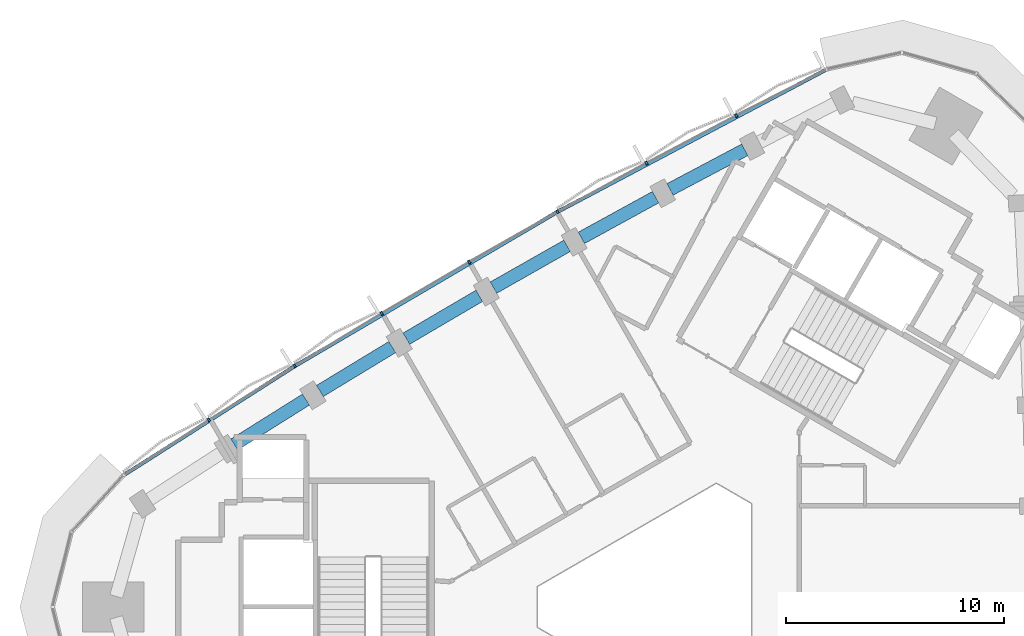
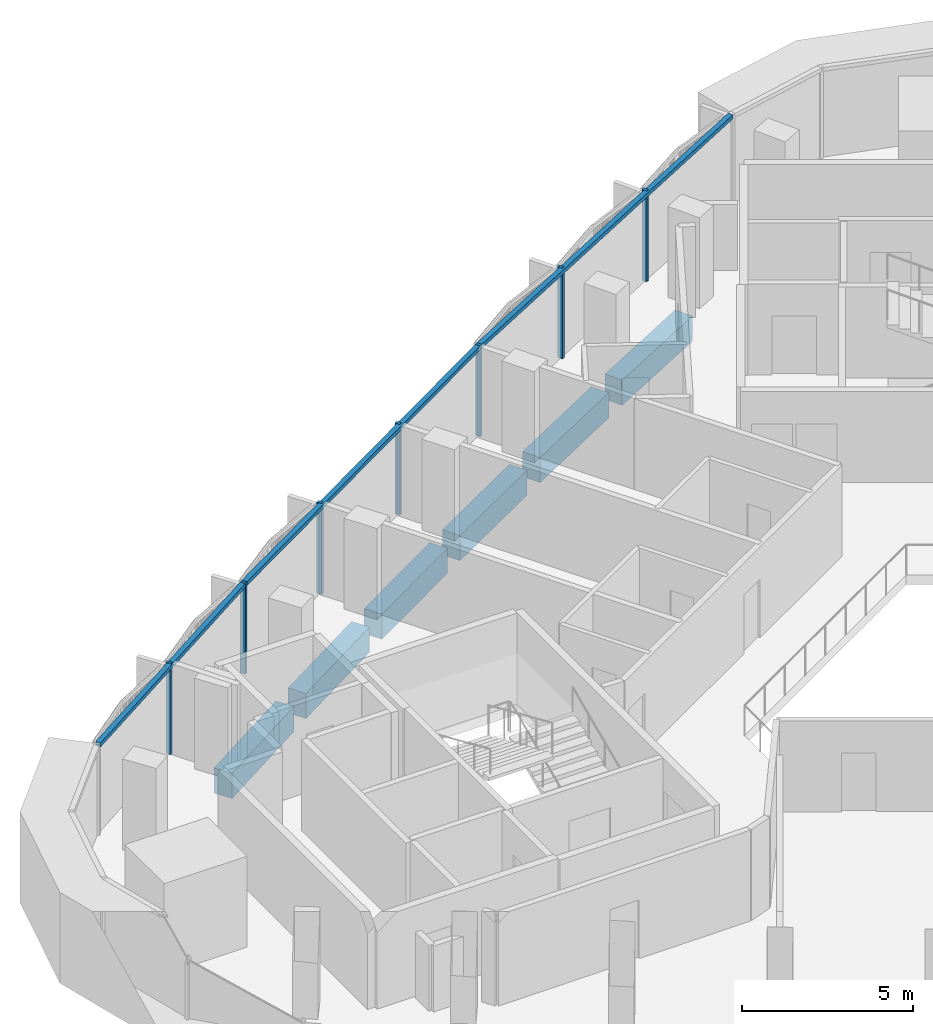
# One storey, part 5 of 14: 10 members, 6 beams, 1 element without a shape of its own.
"""IFC4 building model written with IfcOpenShell, lengths in metres."""

from ifc_helpers import new_model, si_unit, direction, frame, origin, origin_2d, place, context, subcontext, project, spatial, rectangle, extrude, material, material_profile, profile_set, type_object, element, aggregate, save


model = new_model("IFC4")

# Units and contexts
model_context = context("Model", 3, precision=1e-05, world=origin(), true_north=direction((0.0, 1.0)))
body_context = subcontext(model_context, "Body", "Model", "MODEL_VIEW")
ifc_project = project(units=[si_unit("LENGTHUNIT", "METRE"), si_unit("AREAUNIT", "SQUARE_METRE"), si_unit("VOLUMEUNIT", "CUBIC_METRE"), si_unit("PLANEANGLEUNIT", "RADIAN"), si_unit("MASSUNIT", "GRAM", prefix="KILO")], contexts=[model_context])

# Site, building, storey
site_placement = place(None, origin())
site = spatial("IfcSite", under=ifc_project, at=site_placement, CompositionType="ELEMENT")
building_placement = place(site_placement, origin())
building = spatial("IfcBuilding", under=site, at=building_placement, Name="Tamra Quay Hotel Tower", CompositionType="ELEMENT")
storey_placement = place(building_placement, frame((0.0, 0.0, 228.60009765625)))
storey = spatial("IfcBuildingStorey", under=building, at=storey_placement, Name="L57", CompositionType="ELEMENT", Elevation=228.60009765625)

# Curtain wall, members
ifc_material_1 = material(Name="Aluminium 6063 anodised dark grey", Category="aluminium")
curtain_wall_type = type_object("IfcCurtainWallType", Name="CW2 CURTAIN WALL", PredefinedType="NOTDEFINED", material=ifc_material_1)
curtain_wall_placement = place(storey_placement, origin())
curtain_wall = element("IfcCurtainWall", 1, at=curtain_wall_placement, inside=storey, type_object=curtain_wall_type, Name="CW2 north-west face L57", PredefinedType="NOTDEFINED")
ifc_material_profile_1 = material_profile(ifc_material_1, rectangle(XDim=0.169921875, YDim=0.10009765625, at=origin_2d()), Name="MULLION 100X170")
ifc_profile_set_1 = profile_set([ifc_material_profile_1], Name="Aluminium 6063 anodised dark grey")
member_type_1 = type_object("IfcMemberType", Name="MULLION CW2 Z5", PredefinedType="MULLION", material=ifc_profile_set_1)
member_1_placement = place(storey_placement, frame((3.105224609375, 22.503173828125, 0.0), z_axis=(0.0, 0.0, 1.0), x_axis=(-0.461343866689, 0.887221413554, 0.0)))
member_1 = element("IfcMember", 2, at=member_1_placement, type_object=member_type_1, Name="CW2 mullion L57.NW.2", PredefinedType="MULLION", context=body_context, shape_type="SweptSolid", body=[
    extrude(rectangle(XDim=0.169921875, YDim=0.10009765625, at=origin_2d()), origin(), (0.0, 0.0, 1.0), 3.25),
])
member_2_placement = place(storey_placement, frame((-1.00341796875, 20.328369140625, 0.0), z_axis=(0.0, 0.0, 1.0), x_axis=(-0.474318697742, 0.880353209213, 0.0)))
member_2 = element("IfcMember", 3, at=member_2_placement, type_object=member_type_1, Name="CW2 mullion L57.NW.3", PredefinedType="MULLION", context=body_context, shape_type="SweptSolid", body=[
    extrude(rectangle(XDim=0.169921875, YDim=0.10009765625, at=origin_2d()), origin(), (0.0, 0.0, 1.0), 3.25),
])
member_3_placement = place(storey_placement, frame((-5.078857421875, 18.093994140625, 0.0), z_axis=(0.0, 0.0, 1.0), x_axis=(-0.487204268935, 0.873288039728, 0.0)))
member_3 = element("IfcMember", 4, at=member_3_placement, type_object=member_type_1, Name="CW2 mullion L57.NW.4", PredefinedType="MULLION", context=body_context, shape_type="SweptSolid", body=[
    extrude(rectangle(XDim=0.169921875, YDim=0.10009765625, at=origin_2d()), origin(), (0.0, 0.0, 1.0), 3.25),
])
member_4_placement = place(storey_placement, frame((-9.12158203125, 15.79931640625, 0.0), z_axis=(0.0, 0.0, 1.0), x_axis=(-0.5, 0.866025403784, 0.0)))
member_4 = element("IfcMember", 5, at=member_4_placement, type_object=member_type_1, Name="CW2 mullion L57.NW.5", PredefinedType="MULLION", context=body_context, shape_type="SweptSolid", body=[
    extrude(rectangle(XDim=0.169921875, YDim=0.10009765625, at=origin_2d()), origin(), (0.0, 0.0, 1.0), 3.25),
])
member_5_placement = place(storey_placement, frame((-13.13037109375, 13.4453125, 0.0), z_axis=(0.0, 0.0, 1.0), x_axis=(-0.512687492758, 0.858575293594, 0.0)))
member_5 = element("IfcMember", 6, at=member_5_placement, type_object=member_type_1, Name="CW2 mullion L57.NW.6", PredefinedType="MULLION", context=body_context, shape_type="SweptSolid", body=[
    extrude(rectangle(XDim=0.169921875, YDim=0.10009765625, at=origin_2d()), origin(), (0.0, 0.0, 1.0), 3.25),
])
member_6_placement = place(storey_placement, frame((-17.103271484375, 11.033203125, 0.0), z_axis=(0.0, 0.0, 1.0), x_axis=(-0.525248894611, 0.850948646341, 0.0)))
member_6 = element("IfcMember", 7, at=member_6_placement, type_object=member_type_1, Name="CW2 mullion L57.NW.7", PredefinedType="MULLION", context=body_context, shape_type="SweptSolid", body=[
    extrude(rectangle(XDim=0.169921875, YDim=0.10009765625, at=origin_2d()), origin(), (0.0, 0.0, 1.0), 3.25),
])
member_7_placement = place(storey_placement, frame((-21.041015625, 8.5625, 0.0), z_axis=(0.0, 0.0, 1.0), x_axis=(-0.537684349575, 0.84314621521, 0.0)))
member_7 = element("IfcMember", 8, at=member_7_placement, type_object=member_type_1, Name="CW2 mullion L57.NW.8", PredefinedType="MULLION", context=body_context, shape_type="SweptSolid", body=[
    extrude(rectangle(XDim=0.169921875, YDim=0.10009765625, at=origin_2d()), origin(), (0.0, 0.0, 1.0), 3.25),
])

# Beams
ifc_material_2 = material(Name="Concrete M60", Category="concrete")
ifc_material_profile_2 = material_profile(ifc_material_2, rectangle(XDim=0.60009765625, YDim=0.89990234375, at=origin_2d()), Name="SPANDREL BEAM RC 600x900")
ifc_profile_set_2 = profile_set([ifc_material_profile_2], Name="Concrete M60")
beam_type = type_object("IfcBeamType", Name="SPANDREL BEAM RC 600x900", PredefinedType="SPANDREL", material=ifc_profile_set_2)
beam_1_placement = place(storey_placement, frame((3.5, 20.931396484375, -0.800048828125), z_axis=(-0.883803240878, -0.467858772937, 0.0), x_axis=(0.467858772937, -0.883803240878, 0.0)))
element("IfcBeam", 9, at=beam_1_placement, inside=storey, type_object=beam_type, Name="BM-SP5-011-L57", PredefinedType="SPANDREL", context=body_context, shape_type="SweptSolid", body=[
    extrude(rectangle(XDim=0.60009765625, YDim=0.89990234375, at=origin_2d()), origin(), (0.0, 0.0, 1.0), 3.875),
])
beam_2_placement = place(storey_placement, frame((-0.585205078125, 18.7626953125, -0.800048828125), z_axis=(-0.876838966376, -0.480784179279, 0.0), x_axis=(0.480784179279, -0.876838966376, 0.0)))
element("IfcBeam", 10, at=beam_2_placement, inside=storey, type_object=beam_type, Name="BM-SP5-012-L57", PredefinedType="SPANDREL", context=body_context, shape_type="SweptSolid", body=[
    extrude(rectangle(XDim=0.60009765625, YDim=0.89990234375, at=origin_2d()), origin(), (0.0, 0.0, 1.0), 3.87548828125),
])
beam_3_placement = place(storey_placement, frame((-4.638427734375, 16.533935546875, -0.800048828125), z_axis=(-0.86967787455, -0.493619686113, 0.0), x_axis=(0.493619686113, -0.86967787455, 0.0)))
element("IfcBeam", 11, at=beam_3_placement, inside=storey, type_object=beam_type, Name="BM-SP5-013-L57", PredefinedType="SPANDREL", context=body_context, shape_type="SweptSolid", body=[
    extrude(rectangle(XDim=0.60009765625, YDim=0.89990234375, at=origin_2d()), origin(), (0.0, 0.0, 1.0), 3.875244140625),
])
beam_4_placement = place(storey_placement, frame((-8.658203125, 14.24609375, -0.800048828125), z_axis=(-0.862324287816, -0.506356418585, 0.0), x_axis=(0.506356418585, -0.862324287816, 0.0)))
element("IfcBeam", 12, at=beam_4_placement, inside=storey, type_object=beam_type, Name="BM-SP5-014-L57", PredefinedType="SPANDREL", context=body_context, shape_type="SweptSolid", body=[
    extrude(rectangle(XDim=0.60009765625, YDim=0.89990234375, at=origin_2d()), origin(), (0.0, 0.0, 1.0), 3.875),
])
beam_5_placement = place(storey_placement, frame((-12.6435546875, 11.8994140625, -0.800048828125), z_axis=(-0.854785519234, -0.518981421737, 0.0), x_axis=(0.518981421737, -0.854785519234, 0.0)))
element("IfcBeam", 13, at=beam_5_placement, inside=storey, type_object=beam_type, Name="BM-SP5-015-L57", PredefinedType="SPANDREL", context=body_context, shape_type="SweptSolid", body=[
    extrude(rectangle(XDim=0.60009765625, YDim=0.89990234375, at=origin_2d()), origin(), (0.0, 0.0, 1.0), 3.875732421875),
])
beam_6_placement = place(storey_placement, frame((-16.5947265625, 9.494140625, -0.800048828125), z_axis=(-0.847066119134, -0.53148752555, 0.0), x_axis=(0.53148752555, -0.847066119134, 0.0)))
element("IfcBeam", 14, at=beam_6_placement, inside=storey, type_object=beam_type, Name="BM-SP5-016-L57", PredefinedType="SPANDREL", context=body_context, shape_type="SweptSolid", body=[
    extrude(rectangle(XDim=0.60009765625, YDim=0.89990234375, at=origin_2d()), origin(), (0.0, 0.0, 1.0), 3.875),
])

# Member
ifc_material_profile_3 = material_profile(ifc_material_1, rectangle(XDim=0.169921875, YDim=0.139892578125, at=origin_2d()), Name="TRANSOM 170X140")
ifc_profile_set_3 = profile_set([ifc_material_profile_3], Name="Aluminium 6063 anodised dark grey")
member_type_2 = type_object("IfcMemberType", Name="TRANSOM CW2 Z5", PredefinedType="USERDEFINED", material=ifc_profile_set_3)
member_8_placement = place(storey_placement, frame((7.2001953125, 24.5947265625, 3.179931640625), z_axis=(-0.883805932558, -0.467853688214, 0.0), x_axis=(0.467853688214, -0.883805932558, 0.0)))
member_8 = element("IfcMember", 15, at=member_8_placement, type_object=member_type_2, Name="CW2 transom L57.NW.1", ObjectType="TRANSOM", PredefinedType="USERDEFINED", context=body_context, shape_type="SweptSolid", body=[
    extrude(rectangle(XDim=0.169921875, YDim=0.139892578125, at=origin_2d()), origin(), (0.0, 0.0, 1.0), 13.84375),
])

member_9_placement = place(storey_placement, frame((-5.122314453125, 18.069091796875, 3.179931640625), z_axis=(-0.862327906366, -0.50635025615, 0.0), x_axis=(0.50635025615, -0.862327906366, 0.0)))
member_9 = element("IfcMember", 16, at=member_9_placement, type_object=member_type_2, Name="CW2 transom L57.NW.4", ObjectType="TRANSOM", PredefinedType="USERDEFINED", context=body_context, shape_type="SweptSolid", body=[
    extrude(rectangle(XDim=0.169921875, YDim=0.139892578125, at=origin_2d()), origin(), (0.0, 0.0, 1.0), 13.84423828125),
])

member_10_placement = place(storey_placement, frame((-17.1455078125, 11.006591796875, 3.179931640625), z_axis=(-0.843150628399, -0.537677429162, 0.0), x_axis=(0.537677429162, -0.843150628399, 0.0)))
member_10 = element("IfcMember", 17, at=member_10_placement, type_object=member_type_2, Name="CW2 transom L57.NW.7", ObjectType="TRANSOM", PredefinedType="USERDEFINED", context=body_context, shape_type="SweptSolid", body=[
    extrude(rectangle(XDim=0.169921875, YDim=0.139892578125, at=origin_2d()), origin(), (0.0, 0.0, 1.0), 9.196533203125),
])

aggregate(curtain_wall, [member_8, member_1, member_2, member_3, member_9, member_4, member_5, member_6, member_10, member_7])

save(model, "model.ifc")
